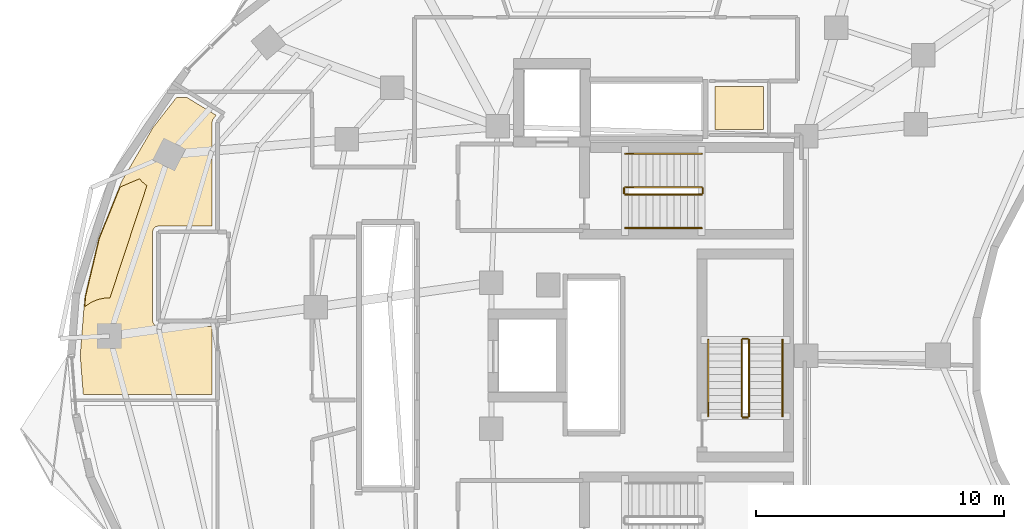
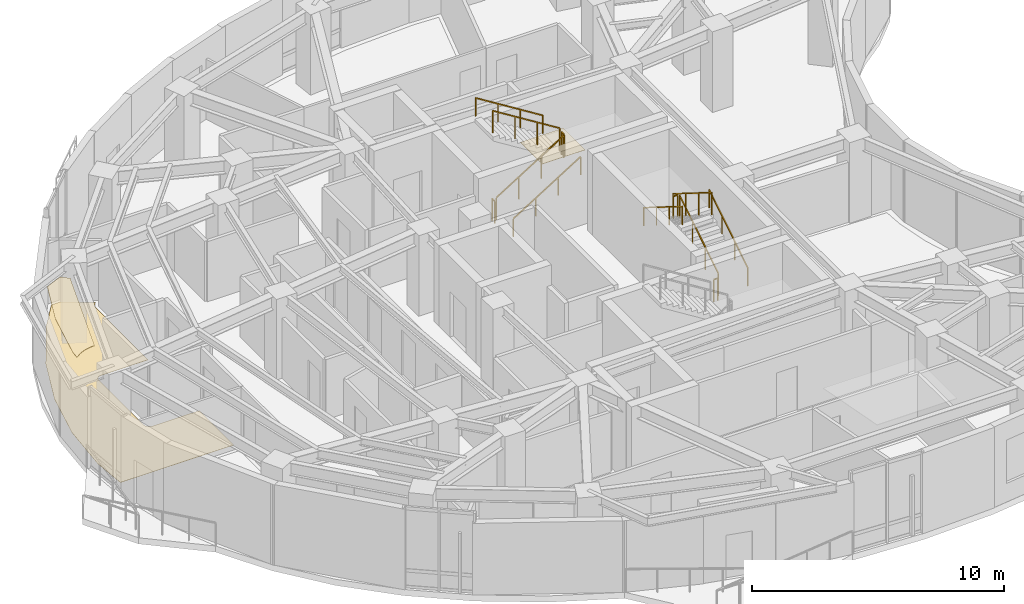
# One storey, part 12 of 13: 12 railings, 3 coverings.
"""IFC4 building model written with IfcOpenShell, lengths in metres."""

from ifc_helpers import new_model, si_unit, direction, frame, origin, origin_2d, place, context, subcontext, project, spatial, polyline, rectangle, outline, extrude, material, layer, layer_set, type_object, element, save


model = new_model("IFC4")

# Units and contexts
model_context = context("Model", 3, precision=1e-05, world=origin(), true_north=direction((0.0, 1.0)))
body_context = subcontext(model_context, "Body", "Model", "MODEL_VIEW")
ifc_project = project(units=[si_unit("LENGTHUNIT", "METRE"), si_unit("AREAUNIT", "SQUARE_METRE"), si_unit("VOLUMEUNIT", "CUBIC_METRE"), si_unit("PLANEANGLEUNIT", "RADIAN"), si_unit("MASSUNIT", "GRAM", prefix="KILO")], contexts=[model_context])

# Site, building, storey
site_placement = place(None, origin())
site = spatial("IfcSite", under=ifc_project, at=site_placement, CompositionType="ELEMENT")
building_placement = place(site_placement, origin())
building = spatial("IfcBuilding", under=site, at=building_placement, Name="Korentha Bioscience Tower", CompositionType="ELEMENT")
storey_placement = place(building_placement, frame((0.0, 0.0, 158.39990234375)))
storey = spatial("IfcBuildingStorey", under=building, at=storey_placement, Name="L36", CompositionType="ELEMENT", Elevation=158.39990234375)

# Covering
ifc_material_1 = material(Name="Vitrified Porcelain Tile", Category="ceramic")
ifc_layer_1 = layer(ifc_material_1, 0.014892578125, Name="Vitrified Porcelain Tile")
ifc_layer_set_1 = layer_set([ifc_layer_1], Name="Vitrified Porcelain Tile (FL-CER)")
covering_type_1 = type_object("IfcCoveringType", Name="Anti-Slip Ceramic Wet-Room Tile Flooring 15", PredefinedType="FLOORING", material=ifc_layer_set_1)
covering_1_placement = place(storey_placement, origin())
element("IfcCovering", 1, at=covering_1_placement, inside=storey, type_object=covering_type_1, Name="L36 Accessible Staff WC Floor Finish", PredefinedType="FLOORING", context=body_context, shape_type="SweptSolid", body=[
    extrude(outline(polyline([(33.8701171875, 36.1298828125), (33.8701171875, 37.8701171875), (35.830078125, 37.8701171875), (35.830078125, 36.1298828125), (33.8701171875, 36.1298828125)])), origin(), (0.0, 0.0, 1.0), 0.01513671875),
])

# Railings
ifc_material_2 = material(Name="Stainless Steel 304", Category="steel")
railing_type_1 = type_object("IfcRailingType", Name="Brushed Stainless Stair Handrail 900", PredefinedType="HANDRAIL", material=ifc_material_2)
railing_1_placement = place(storey_placement, frame((30.25, 32.14990234375, 0.175048828125)))
element("IfcRailing", 2, at=railing_1_placement, inside=storey, type_object=railing_type_1, Name="L36 ST-1 stair handrail 1", PredefinedType="HANDRAIL", context=body_context, shape_type="SweptSolid", body=[
    extrude(rectangle(XDim=0.048095703125, YDim=0.048095703125, at=origin_2d()), frame((0.0, 0.0, 0.8759765625), z_axis=(0.847998304005, 0.0, 0.529998940003), x_axis=(0.0, 1.0, 0.0)), (0.0, 0.0, 1.0), 3.632080078125),
    extrude(rectangle(XDim=0.0419921875, YDim=0.0419921875, at=origin_2d()), origin(), (0.0, 0.0, 1.0), 0.851806640625),
    extrude(rectangle(XDim=0.0419921875, YDim=0.0419921875, at=origin_2d()), frame((1.026611328125, 0.0, 0.6416015625)), (0.0, 0.0, 1.0), 0.851806640625),
    extrude(rectangle(XDim=0.0419921875, YDim=0.0419921875, at=origin_2d()), frame((2.053466796875, 0.0, 1.283447265625)), (0.0, 0.0, 1.0), 0.851806640625),
    extrude(rectangle(XDim=0.0419921875, YDim=0.0419921875, at=origin_2d()), frame((3.080078125, 0.0, 1.925048828125)), (0.0, 0.0, 1.0), 0.851806640625),
])
railing_2_placement = place(storey_placement, frame((33.330078125, 35.14990234375, 2.275146484375)))
element("IfcRailing", 3, at=railing_2_placement, inside=storey, type_object=railing_type_1, Name="L36 ST-1 stair handrail 2", PredefinedType="HANDRAIL", context=body_context, shape_type="SweptSolid", body=[
    extrude(rectangle(XDim=0.048095703125, YDim=0.048095703125, at=origin_2d()), frame((0.0, 0.0, 0.8759765625), z_axis=(-0.847998304005, 0.0, 0.529998940003), x_axis=(0.0, -1.0, 0.0)), (0.0, 0.0, 1.0), 3.632080078125),
    extrude(rectangle(XDim=0.0419921875, YDim=0.0419921875, at=origin_2d()), origin(), (0.0, 0.0, 1.0), 0.851806640625),
    extrude(rectangle(XDim=0.0419921875, YDim=0.0419921875, at=origin_2d()), frame((-1.026611328125, 0.0, 0.6416015625)), (0.0, 0.0, 1.0), 0.851806640625),
    extrude(rectangle(XDim=0.0419921875, YDim=0.0419921875, at=origin_2d()), frame((-2.053466796875, 0.0, 1.283447265625)), (0.0, 0.0, 1.0), 0.851806640625),
    extrude(rectangle(XDim=0.0419921875, YDim=0.0419921875, at=origin_2d()), frame((-3.080078125, 0.0, 1.925048828125)), (0.0, 0.0, 1.0), 0.851806640625),
])
railing_3_placement = place(storey_placement, frame((36.60009765625, 24.550048828125, 0.175048828125)))
element("IfcRailing", 4, at=railing_3_placement, inside=storey, type_object=railing_type_1, Name="L36 ST-3 stair handrail 1", PredefinedType="HANDRAIL", context=body_context, shape_type="SweptSolid", body=[
    extrude(rectangle(XDim=0.048095703125, YDim=0.048095703125, at=origin_2d()), frame((0.0, 0.0, 0.8759765625), z_axis=(0.0, 0.847979421464, 0.530029150871), x_axis=(-1.0, 0.0, 0.0)), (0.0, 0.0, 1.0), 3.632080078125),
    extrude(rectangle(XDim=0.0419921875, YDim=0.0419921875, at=origin_2d()), origin(), (0.0, 0.0, 1.0), 0.851806640625),
    extrude(rectangle(XDim=0.0419921875, YDim=0.0419921875, at=origin_2d()), frame((0.0, 1.026611328125, 0.6416015625)), (0.0, 0.0, 1.0), 0.851806640625),
    extrude(rectangle(XDim=0.0419921875, YDim=0.0419921875, at=origin_2d()), frame((0.0, 2.05322265625, 1.283447265625)), (0.0, 0.0, 1.0), 0.851806640625),
    extrude(rectangle(XDim=0.0419921875, YDim=0.0419921875, at=origin_2d()), frame((0.0, 3.079833984375, 1.925048828125)), (0.0, 0.0, 1.0), 0.851806640625),
])
railing_4_placement = place(storey_placement, frame((33.60009765625, 27.6298828125, 2.275146484375)))
element("IfcRailing", 5, at=railing_4_placement, inside=storey, type_object=railing_type_1, Name="L36 ST-3 stair handrail 2", PredefinedType="HANDRAIL", context=body_context, shape_type="SweptSolid", body=[
    extrude(rectangle(XDim=0.048095703125, YDim=0.048095703125, at=origin_2d()), frame((0.0, 0.0, 0.8759765625), z_axis=(0.0, -0.847979421464, 0.530029150871), x_axis=(1.0, 0.0, 0.0)), (0.0, 0.0, 1.0), 3.632080078125),
    extrude(rectangle(XDim=0.0419921875, YDim=0.0419921875, at=origin_2d()), origin(), (0.0, 0.0, 1.0), 0.851806640625),
    extrude(rectangle(XDim=0.0419921875, YDim=0.0419921875, at=origin_2d()), frame((0.0, -1.026611328125, 0.6416015625)), (0.0, 0.0, 1.0), 0.851806640625),
    extrude(rectangle(XDim=0.0419921875, YDim=0.0419921875, at=origin_2d()), frame((0.0, -2.05322265625, 1.283447265625)), (0.0, 0.0, 1.0), 0.851806640625),
    extrude(rectangle(XDim=0.0419921875, YDim=0.0419921875, at=origin_2d()), frame((0.0, -3.079833984375, 1.925048828125)), (0.0, 0.0, 1.0), 0.851806640625),
])

# Covering
ifc_material_3 = material(Name="Antimicrobial Mineral Fibre Board", Category="gypsum")
ifc_layer_2 = layer(ifc_material_3, 0.034912109375, Name="Antimicrobial Mineral Fibre Board")
ifc_layer_set_2 = layer_set([ifc_layer_2], Name="Antimicrobial Mineral Fibre Board (CL-MF35)")
covering_type_2 = type_object("IfcCoveringType", Name="Mineral-Fibre Cleanroom Suspended Ceiling 35", PredefinedType="CEILING", material=ifc_layer_set_2)
covering_2_placement = place(storey_placement, frame((0.0, 0.0, 3.864990234375)))
element("IfcCovering", 6, at=covering_2_placement, inside=storey, type_object=covering_type_2, Name="L36 Researchers' Wellness Quiet Room 11 Acoustic Ceiling", PredefinedType="CEILING", context=body_context, shape_type="SweptSolid", body=[
    extrude(outline(polyline([(10.638671875, 34.13720703125), (10.74169921875, 34.023193359375), (10.939208984375, 33.8583984375), (9.44921875, 29.334716796875), (9.2705078125, 29.328369140625), (8.97265625, 29.269287109375), (8.69189453125, 29.15283203125), (8.4326171875, 28.97802734375), (8.4638671875, 29.37890625), (9.0205078125, 31.7255859375), (9.859375, 33.805419921875), (10.638671875, 34.13720703125)])), origin(), (0.0, 0.0, 1.0), 0.03515625),
])

# Railings
ifc_material_4 = material(Name="Painted Steel S275", Category="steel")
railing_type_2 = type_object("IfcRailingType", Name="Painted Steel Stair Well Guardrail 1100", PredefinedType="GUARDRAIL", material=ifc_material_4)
railing_5_placement = place(storey_placement, frame((30.25, 33.5, 0.175048828125)))
element("IfcRailing", 7, at=railing_5_placement, inside=storey, type_object=railing_type_2, Name="L36 ST-1 stair guard 1", PredefinedType="GUARDRAIL", context=body_context, shape_type="SweptSolid", body=[
    extrude(rectangle(XDim=0.048095703125, YDim=0.048095703125, at=origin_2d()), frame((0.0, 0.0, 1.076171875), z_axis=(0.847998304005, 0.0, 0.529998940003), x_axis=(0.0, 1.0, 0.0)), (0.0, 0.0, 1.0), 3.632080078125),
    extrude(rectangle(XDim=0.0419921875, YDim=0.0419921875, at=origin_2d()), origin(), (0.0, 0.0, 1.0), 1.052001953125),
    extrude(rectangle(XDim=0.0419921875, YDim=0.0419921875, at=origin_2d()), frame((1.026611328125, 0.0, 0.6416015625)), (0.0, 0.0, 1.0), 1.052001953125),
    extrude(rectangle(XDim=0.0419921875, YDim=0.0419921875, at=origin_2d()), frame((2.053466796875, 0.0, 1.283447265625)), (0.0, 0.0, 1.0), 1.052001953125),
    extrude(rectangle(XDim=0.0419921875, YDim=0.0419921875, at=origin_2d()), frame((3.080078125, 0.0, 1.925048828125)), (0.0, 0.0, 1.0), 1.052001953125),
])
railing_6_placement = place(storey_placement, frame((33.3798828125, 33.550048828125, 2.10009765625)))
element("IfcRailing", 8, at=railing_6_placement, inside=storey, type_object=railing_type_2, Name="L36 ST-1 stair guard 2", PredefinedType="GUARDRAIL", context=body_context, shape_type="SweptSolid", body=[
    extrude(rectangle(XDim=0.048095703125, YDim=0.048095703125, at=origin_2d()), frame((0.0, 0.0, 1.076171875), z_axis=(0.0, 1.0, 0.0), x_axis=(-1.0, 0.0, 0.0)), (0.0, 0.0, 1.0), 0.199951171875),
    extrude(rectangle(XDim=0.0419921875, YDim=0.0419921875, at=origin_2d()), origin(), (0.0, 0.0, 1.0), 1.052001953125),
    extrude(rectangle(XDim=0.0419921875, YDim=0.0419921875, at=origin_2d()), frame((0.0, 0.199951171875, 0.0)), (0.0, 0.0, 1.0), 1.052001953125),
])
railing_7_placement = place(storey_placement, frame((33.330078125, 33.800048828125, 2.275146484375)))
element("IfcRailing", 9, at=railing_7_placement, inside=storey, type_object=railing_type_2, Name="L36 ST-1 stair guard 3", PredefinedType="GUARDRAIL", context=body_context, shape_type="SweptSolid", body=[
    extrude(rectangle(XDim=0.048095703125, YDim=0.048095703125, at=origin_2d()), frame((0.0, 0.0, 1.076171875), z_axis=(-0.847998304005, 0.0, 0.529998940003), x_axis=(0.0, -1.0, 0.0)), (0.0, 0.0, 1.0), 3.632080078125),
    extrude(rectangle(XDim=0.0419921875, YDim=0.0419921875, at=origin_2d()), origin(), (0.0, 0.0, 1.0), 1.052001953125),
    extrude(rectangle(XDim=0.0419921875, YDim=0.0419921875, at=origin_2d()), frame((-1.026611328125, 0.0, 0.6416015625)), (0.0, 0.0, 1.0), 1.052001953125),
    extrude(rectangle(XDim=0.0419921875, YDim=0.0419921875, at=origin_2d()), frame((-2.053466796875, 0.0, 1.283447265625)), (0.0, 0.0, 1.0), 1.052001953125),
    extrude(rectangle(XDim=0.0419921875, YDim=0.0419921875, at=origin_2d()), frame((-3.080078125, 0.0, 1.925048828125)), (0.0, 0.0, 1.0), 1.052001953125),
])
railing_8_placement = place(storey_placement, frame((30.199951171875, 33.550048828125, 0.0)))
element("IfcRailing", 10, at=railing_8_placement, inside=storey, type_object=railing_type_2, Name="L36 ST-1 stair guard 4", PredefinedType="GUARDRAIL", context=body_context, shape_type="SweptSolid", body=[
    extrude(rectangle(XDim=0.048095703125, YDim=0.048095703125, at=origin_2d()), frame((0.0, 0.0, 1.076171875), z_axis=(0.0, 1.0, 0.0), x_axis=(-1.0, 0.0, 0.0)), (0.0, 0.0, 1.0), 0.199951171875),
    extrude(rectangle(XDim=0.0419921875, YDim=0.0419921875, at=origin_2d()), origin(), (0.0, 0.0, 1.0), 1.052001953125),
    extrude(rectangle(XDim=0.0419921875, YDim=0.0419921875, at=origin_2d()), frame((0.0, 0.199951171875, 0.0)), (0.0, 0.0, 1.0), 1.052001953125),
])
railing_9_placement = place(storey_placement, frame((35.25, 24.550048828125, 0.175048828125)))
element("IfcRailing", 11, at=railing_9_placement, inside=storey, type_object=railing_type_2, Name="L36 ST-3 stair guard 1", PredefinedType="GUARDRAIL", context=body_context, shape_type="SweptSolid", body=[
    extrude(rectangle(XDim=0.048095703125, YDim=0.048095703125, at=origin_2d()), frame((0.0, 0.0, 1.076171875), z_axis=(0.0, 0.847979421464, 0.530029150871), x_axis=(-1.0, 0.0, 0.0)), (0.0, 0.0, 1.0), 3.632080078125),
    extrude(rectangle(XDim=0.0419921875, YDim=0.0419921875, at=origin_2d()), origin(), (0.0, 0.0, 1.0), 1.052001953125),
    extrude(rectangle(XDim=0.0419921875, YDim=0.0419921875, at=origin_2d()), frame((0.0, 1.026611328125, 0.6416015625)), (0.0, 0.0, 1.0), 1.052001953125),
    extrude(rectangle(XDim=0.0419921875, YDim=0.0419921875, at=origin_2d()), frame((0.0, 2.05322265625, 1.283447265625)), (0.0, 0.0, 1.0), 1.052001953125),
    extrude(rectangle(XDim=0.0419921875, YDim=0.0419921875, at=origin_2d()), frame((0.0, 3.079833984375, 1.925048828125)), (0.0, 0.0, 1.0), 1.052001953125),
])
railing_10_placement = place(storey_placement, frame((35.199951171875, 27.679931640625, 2.10009765625)))
element("IfcRailing", 12, at=railing_10_placement, inside=storey, type_object=railing_type_2, Name="L36 ST-3 stair guard 2", PredefinedType="GUARDRAIL", context=body_context, shape_type="SweptSolid", body=[
    extrude(rectangle(XDim=0.048095703125, YDim=0.048095703125, at=origin_2d()), frame((0.0, 0.0, 1.076171875), z_axis=(-1.0, 0.0, 0.0), x_axis=(0.0, -1.0, 0.0)), (0.0, 0.0, 1.0), 0.199951171875),
    extrude(rectangle(XDim=0.0419921875, YDim=0.0419921875, at=origin_2d()), origin(), (0.0, 0.0, 1.0), 1.052001953125),
    extrude(rectangle(XDim=0.0419921875, YDim=0.0419921875, at=origin_2d()), frame((-0.199951171875, 0.0, 0.0)), (0.0, 0.0, 1.0), 1.052001953125),
])
railing_11_placement = place(storey_placement, frame((34.949951171875, 27.6298828125, 2.275146484375)))
element("IfcRailing", 13, at=railing_11_placement, inside=storey, type_object=railing_type_2, Name="L36 ST-3 stair guard 3", PredefinedType="GUARDRAIL", context=body_context, shape_type="SweptSolid", body=[
    extrude(rectangle(XDim=0.048095703125, YDim=0.048095703125, at=origin_2d()), frame((0.0, 0.0, 1.076171875), z_axis=(0.0, -0.847979421464, 0.530029150871), x_axis=(1.0, 0.0, 0.0)), (0.0, 0.0, 1.0), 3.632080078125),
    extrude(rectangle(XDim=0.0419921875, YDim=0.0419921875, at=origin_2d()), origin(), (0.0, 0.0, 1.0), 1.052001953125),
    extrude(rectangle(XDim=0.0419921875, YDim=0.0419921875, at=origin_2d()), frame((0.0, -1.026611328125, 0.6416015625)), (0.0, 0.0, 1.0), 1.052001953125),
    extrude(rectangle(XDim=0.0419921875, YDim=0.0419921875, at=origin_2d()), frame((0.0, -2.05322265625, 1.283447265625)), (0.0, 0.0, 1.0), 1.052001953125),
    extrude(rectangle(XDim=0.0419921875, YDim=0.0419921875, at=origin_2d()), frame((0.0, -3.079833984375, 1.925048828125)), (0.0, 0.0, 1.0), 1.052001953125),
])
railing_12_placement = place(storey_placement, frame((35.199951171875, 24.5, 0.0)))
element("IfcRailing", 14, at=railing_12_placement, inside=storey, type_object=railing_type_2, Name="L36 ST-3 stair guard 4", PredefinedType="GUARDRAIL", context=body_context, shape_type="SweptSolid", body=[
    extrude(rectangle(XDim=0.048095703125, YDim=0.048095703125, at=origin_2d()), frame((0.0, 0.0, 1.076171875), z_axis=(-1.0, 0.0, 0.0), x_axis=(0.0, -1.0, 0.0)), (0.0, 0.0, 1.0), 0.199951171875),
    extrude(rectangle(XDim=0.0419921875, YDim=0.0419921875, at=origin_2d()), origin(), (0.0, 0.0, 1.0), 1.052001953125),
    extrude(rectangle(XDim=0.0419921875, YDim=0.0419921875, at=origin_2d()), frame((-0.199951171875, 0.0, 0.0)), (0.0, 0.0, 1.0), 1.052001953125),
])

# Covering
ifc_material_5 = material(Name="Chemical-Resistant Epoxy Resin", Category="polymer")
ifc_layer_3 = layer(ifc_material_5, 0.011962890625, Name="Chemical-Resistant Epoxy Resin")
ifc_layer_set_3 = layer_set([ifc_layer_3], Name="Chemical-Resistant Epoxy Resin (FL-EPX)")
covering_type_3 = type_object("IfcCoveringType", Name="Seamless Epoxy Laboratory Flooring 12", PredefinedType="FLOORING", material=ifc_layer_set_3)
covering_3_placement = place(storey_placement, origin())
element("IfcCovering", 15, at=covering_3_placement, inside=storey, type_object=covering_type_3, Name="L36 Researchers' Wellness Quiet Room 11 Floor Finish", PredefinedType="FLOORING", context=body_context, shape_type="SweptSolid", body=[
    extrude(outline(polyline([(8.991943359375, 31.734619140625), (9.9140625, 34.021484375), (11.189208984375, 36.211669921875), (12.140380859375, 37.427978515625), (12.5419921875, 37.427978515625), (13.732421875, 36.704345703125), (13.600830078125, 36.532470703125), (13.5703125, 36.427734375), (13.570068359375, 32.22998046875), (11.38818359375, 32.229736328125), (11.302001953125, 32.2080078125), (11.22998046875, 32.15478515625), (11.18359375, 32.077880859375), (11.169921875, 32.0), (11.169921875, 28.39990234375), (11.18359375, 28.322021484375), (11.263427734375, 28.215087890625), (11.38818359375, 28.17041015625), (13.570068359375, 28.169921875), (13.570068359375, 25.427978515625), (8.371337890625, 25.427978515625), (8.24755859375, 27.0), (8.43408203125, 29.383544921875), (8.991943359375, 31.734619140625)])), origin(), (0.0, 0.0, 1.0), 0.01220703125),
])

save(model, "model.ifc")
